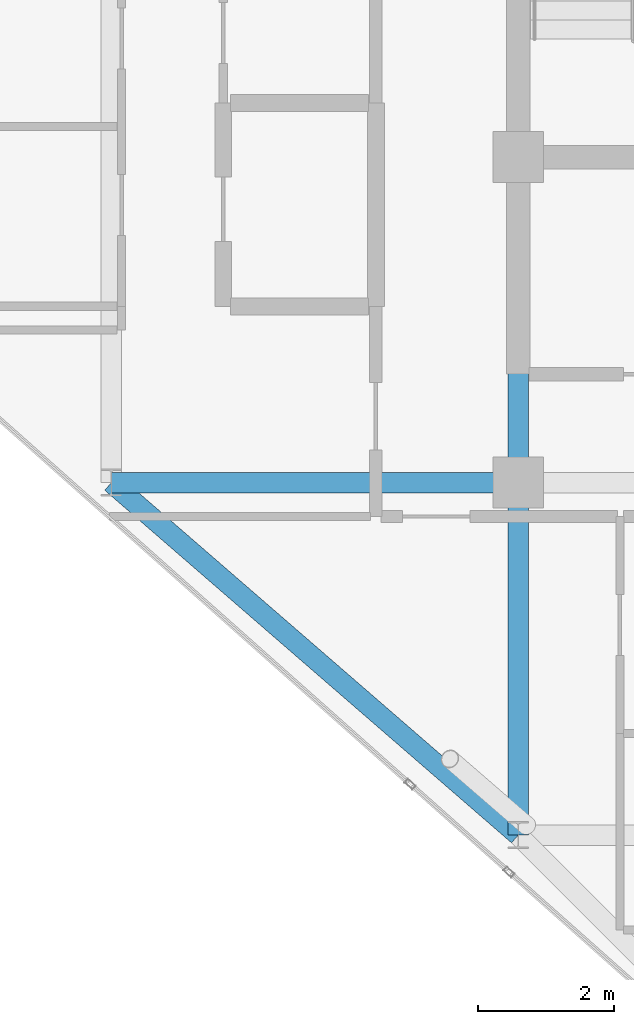
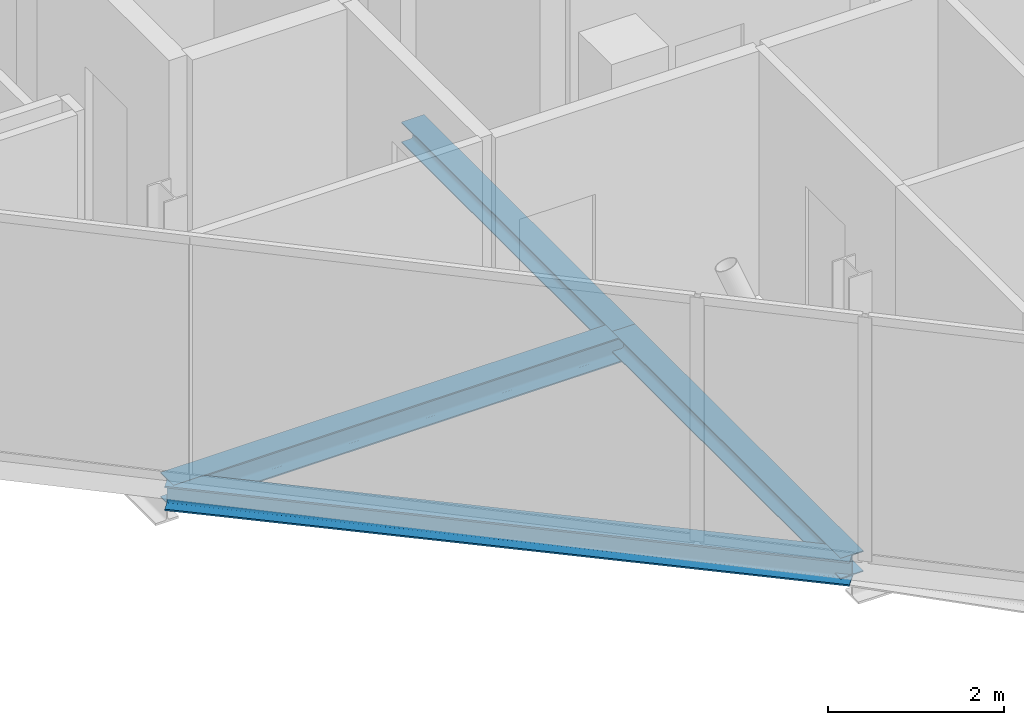
# One storey, part 5 of 27: 4 beams.
"""IFC4 building model written with IfcOpenShell, lengths in metres."""

from ifc_helpers import new_model, si_unit, direction, frame, origin, origin_2d, place, context, subcontext, project, spatial, i_section, extrude, material, material_profile, profile_set, type_object, element, save


model = new_model("IFC4")

# Units and contexts
model_context = context("Model", 3, precision=1e-05, world=origin(), true_north=direction((0.0, 1.0)))
body_context = subcontext(model_context, "Body", "Model", "MODEL_VIEW")
ifc_project = project(units=[si_unit("LENGTHUNIT", "METRE"), si_unit("AREAUNIT", "SQUARE_METRE"), si_unit("VOLUMEUNIT", "CUBIC_METRE"), si_unit("PLANEANGLEUNIT", "RADIAN"), si_unit("MASSUNIT", "GRAM", prefix="KILO")], contexts=[model_context])

# Site, building, storey
site_placement = place(None, origin())
site = spatial("IfcSite", under=ifc_project, at=site_placement, CompositionType="ELEMENT")
building_placement = place(site_placement, origin())
building = spatial("IfcBuilding", under=site, at=building_placement, Name="Keshet Zoharim Tower", CompositionType="ELEMENT")
storey_placement = place(building_placement, frame((0.0, 0.0, 254.699951171875)))
storey = spatial("IfcBuildingStorey", under=building, at=storey_placement, Name="L63", CompositionType="ELEMENT", Elevation=254.699951171875)

# Beams
ifc_material = material(Name="Steel S355", Category="steel")
ifc_material_profile_1 = material_profile(ifc_material, i_section(OverallWidth=0.300048828125, OverallDepth=0.2900390625, WebThickness=0.008544921875, FlangeThickness=0.013916015625, FilletRadius=0.027099609375, at=origin_2d()), Name="HEA300")
ifc_profile_set_1 = profile_set([ifc_material_profile_1], Name="Steel S355")
beam_type_1 = type_object("IfcBeamType", Name="BM-PRI-HA300", PredefinedType="BEAM", material=ifc_profile_set_1)
beam_1_placement = place(storey_placement, frame((15.0, 12.699951171875, -0.454833984375), z_axis=(0.0, 1.0, 0.0), x_axis=(-1.0, 0.0, 0.0)))
element("IfcBeam", 1, at=beam_1_placement, inside=storey, type_object=beam_type_1, Name="L63 Primary Girder Y-002", PredefinedType="BEAM", context=body_context, shape_type="SweptSolid", body=[
    extrude(i_section(OverallWidth=0.300048828125, OverallDepth=0.2900390625, WebThickness=0.008544921875, FlangeThickness=0.013916015625, FilletRadius=0.027099609375, at=origin_2d()), origin(), (0.0, 0.0, 1.0), 5.199951171875),
])
beam_2_placement = place(storey_placement, frame((15.0, 17.89990234375, -0.454833984375), z_axis=(0.0, 1.0, 0.0), x_axis=(-1.0, 0.0, 0.0)))
element("IfcBeam", 2, at=beam_2_placement, inside=storey, type_object=beam_type_1, Name="L63 Primary Girder Y-003", PredefinedType="BEAM", context=body_context, shape_type="SweptSolid", body=[
    extrude(i_section(OverallWidth=0.300048828125, OverallDepth=0.2900390625, WebThickness=0.008544921875, FlangeThickness=0.013916015625, FilletRadius=0.027099609375, at=origin_2d()), origin(), (0.0, 0.0, 1.0), 4.800048828125),
])
ifc_material_profile_2 = material_profile(ifc_material, i_section(OverallWidth=0.300048828125, OverallDepth=0.35009765625, WebThickness=0.010009765625, FlangeThickness=0.017578125, FilletRadius=0.027099609375, at=origin_2d()), Name="HEA360")
ifc_profile_set_2 = profile_set([ifc_material_profile_2], Name="Steel S355")
beam_type_2 = type_object("IfcBeamType", Name="BM-PRI-HA360", PredefinedType="BEAM", material=ifc_profile_set_2)
beam_3_placement = place(storey_placement, frame((9.0, 17.89990234375, -0.48486328125), z_axis=(1.0, 0.0, 0.0), x_axis=(0.0, 1.0, 0.0)))
element("IfcBeam", 3, at=beam_3_placement, inside=storey, type_object=beam_type_2, Name="L63 Primary Girder X-005", PredefinedType="BEAM", context=body_context, shape_type="SweptSolid", body=[
    extrude(i_section(OverallWidth=0.300048828125, OverallDepth=0.35009765625, WebThickness=0.010009765625, FlangeThickness=0.017578125, FilletRadius=0.027099609375, at=origin_2d()), origin(), (0.0, 0.0, 1.0), 6.0),
])
ifc_material_profile_3 = material_profile(ifc_material, i_section(OverallWidth=0.300048828125, OverallDepth=0.340087890625, WebThickness=0.011962890625, FlangeThickness=0.021484375, FilletRadius=0.027099609375, at=origin_2d()), Name="HEB340")
ifc_profile_set_3 = profile_set([ifc_material_profile_3], Name="Steel S355")
beam_type_3 = type_object("IfcBeamType", Name="BM-SPN-HB340", PredefinedType="SPANDREL", material=ifc_profile_set_3)
beam_4_placement = place(storey_placement, frame((9.0, 17.89990234375, -0.47998046875), z_axis=(0.755692126483, -0.654927026447, 0.0), x_axis=(0.654927026447, 0.755692126483, 0.0)))
element("IfcBeam", 4, at=beam_4_placement, inside=storey, type_object=beam_type_3, Name="L63 Perimeter Spandrel Beam 02", PredefinedType="SPANDREL", context=body_context, shape_type="SweptSolid", body=[
    extrude(i_section(OverallWidth=0.300048828125, OverallDepth=0.340087890625, WebThickness=0.011962890625, FlangeThickness=0.021484375, FilletRadius=0.027099609375, at=origin_2d()), origin(), (0.0, 0.0, 1.0), 7.939697265625),
])

save(model, "model.ifc")
